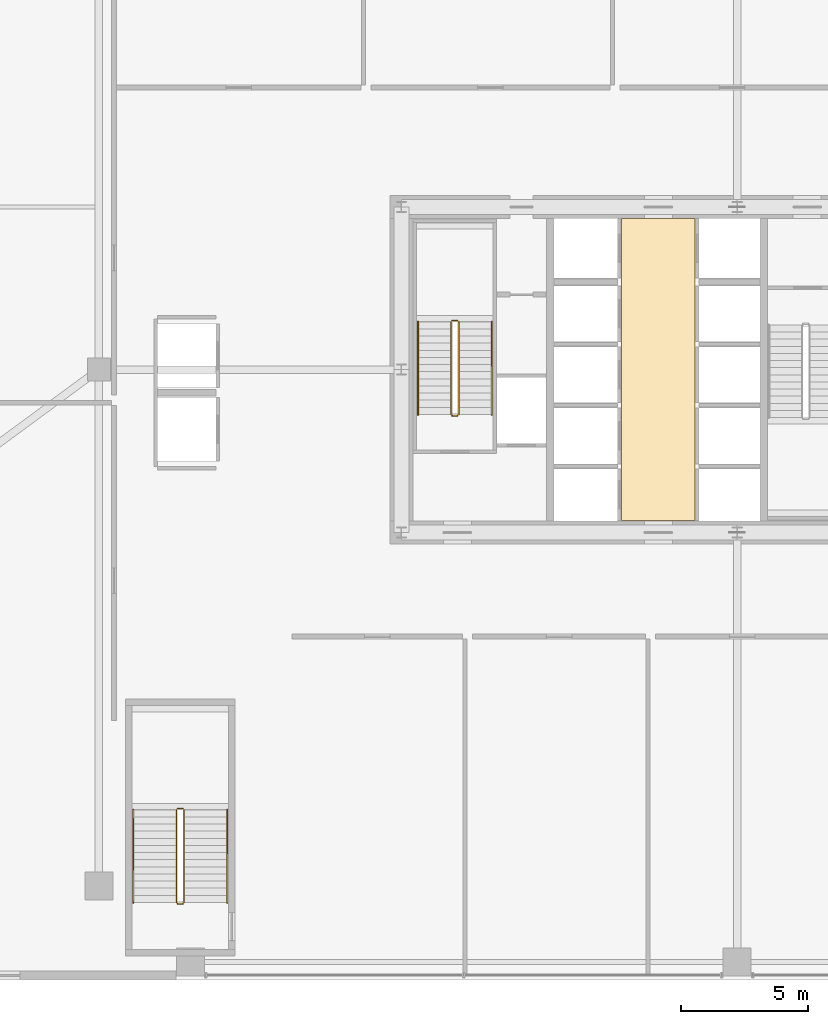
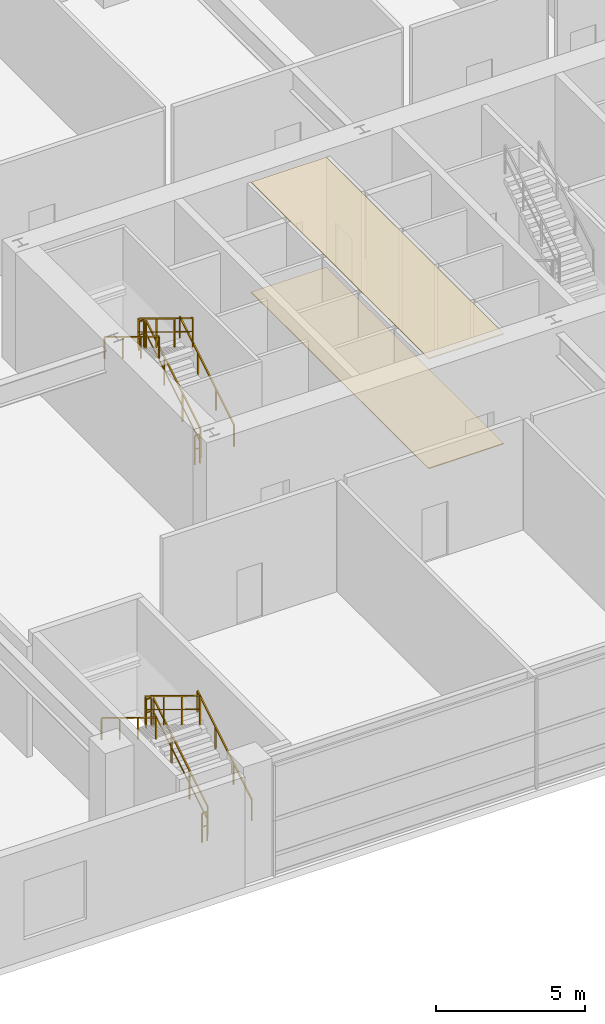
# One storey, part 38 of 39: 12 railings, 2 coverings.
"""IFC4 building model written with IfcOpenShell, lengths in metres."""

import ifcopenshell
import ifcopenshell.guid

model = None  # the IFC model being written
_history = None  # IfcOwnerHistory: only IFC2X3 demands one
_inside = {}  # id of a spatial element -> (the spatial element, [elements in it])
_under = {}  # id of a project, library or spatial element -> (it, [spatial elements below it])
_declared = {}  # id of a project -> (the project, [libraries it declares])
_typed = {}  # id of a type object -> (the type object, [elements of that type])
_made_of = {}  # id of a material, layer set ... -> (it, [elements and type objects made of it])


def new_model(schema):
    """Start an empty IFC model of exactly this schema.

    Asked for "IFC4X3", IfcOpenShell would pick the latest addendum, in which some entities
    have other attributes; the version numbers below select the first issue.
    IFC2X3 requires an IfcOwnerHistory on every rooted entity: one is made here for all.
    """
    global model, _history
    if schema == "IFC4X3":
        model = ifcopenshell.file(schema_version=(4, 3, 0, 0))
    else:
        model = ifcopenshell.file(schema=schema)
    _inside.clear()
    _under.clear()
    _declared.clear()
    _typed.clear()
    _made_of.clear()
    _history = None
    if model.schema == "IFC2X3":
        org = make("IfcOrganization", Name="unknown")
        user = make(
            "IfcPersonAndOrganization",
            ThePerson=make("IfcPerson", FamilyName="unknown"),
            TheOrganization=org,
        )
        app = make(
            "IfcApplication",
            ApplicationDeveloper=org,
            Version="unknown",
            ApplicationFullName="unknown",
            ApplicationIdentifier="unknown",
        )
        _history = make(
            "IfcOwnerHistory",
            OwningUser=user,
            OwningApplication=app,
            ChangeAction="ADDED",
            CreationDate=0,
        )
    return model


def make(cls, **values):
    """One entity of the class cls with the attributes given. An attribute that is None is left unset."""
    return model.create_entity(
        cls, **{name: value for name, value in values.items() if value is not None}
    )


def rooted(cls, **values):
    """An entity with a GlobalId (a new one), such as an element, a storey or a relation."""
    return make(cls, GlobalId=ifcopenshell.guid.new(), OwnerHistory=_history, **values)


def si_unit(unit_type, name, prefix=None):
    """IfcSIUnit, for example si_unit("LENGTHUNIT", "METRE", prefix="MILLI")."""
    return make("IfcSIUnit", UnitType=unit_type, Prefix=prefix, Name=name)


def assignment(units):
    """IfcUnitAssignment: the units of a project."""
    return None if units is None else make("IfcUnitAssignment", Units=units)


def point(xyz):
    """IfcCartesianPoint."""
    return None if xyz is None else make("IfcCartesianPoint", Coordinates=xyz)


def direction(xyz):
    """IfcDirection."""
    return None if xyz is None else make("IfcDirection", DirectionRatios=xyz)


def frame(location, z_axis=None, x_axis=None):
    """IfcAxis2Placement3D, a coordinate frame: its origin and axes. An axis left out is left unset."""
    return make(
        "IfcAxis2Placement3D",
        Location=point(location),
        Axis=direction(z_axis),
        RefDirection=direction(x_axis),
    )


def frame_2d(location, x_axis=None):
    """IfcAxis2Placement2D, a coordinate frame in the plane: its origin and x axis."""
    return make(
        "IfcAxis2Placement2D", Location=point(location), RefDirection=direction(x_axis)
    )


def origin():
    """The frame at (0, 0, 0) with its axes left unset."""
    return frame((0.0, 0.0, 0.0))


def origin_2d():
    """The frame at (0, 0) in the plane with its x axis left unset."""
    return frame_2d((0.0, 0.0))


def place(relative_to, where):
    """IfcLocalPlacement: puts the frame where relative to a parent placement (None: the world)."""
    return make(
        "IfcLocalPlacement", PlacementRelTo=relative_to, RelativePlacement=where
    )


def context(
    kind, dimensions, precision=None, world=None, true_north=None, identifier=None
):
    """IfcGeometricRepresentationContext, for example the 3D "Model" context."""
    return make(
        "IfcGeometricRepresentationContext",
        ContextIdentifier=identifier,
        ContextType=kind,
        CoordinateSpaceDimension=dimensions,
        Precision=precision,
        WorldCoordinateSystem=world,
        TrueNorth=true_north,
    )


def subcontext(parent, identifier, kind, view, scale=None):
    """IfcGeometricRepresentationSubContext, for example "Body" below "Model"."""
    return make(
        "IfcGeometricRepresentationSubContext",
        ContextIdentifier=identifier,
        ContextType=kind,
        ParentContext=parent,
        TargetScale=scale,
        TargetView=view,
    )


def project(units=None, contexts=None):
    """IfcProject with its units and contexts."""
    return rooted(
        "IfcProject",
        Name="project",
        RepresentationContexts=contexts,
        UnitsInContext=assignment(units),
    )


def spatial(cls, under=None, at=None, **own):
    """A site, building, storey or space (cls), placed at a placement, below another one or the project."""
    s = rooted(cls, ObjectPlacement=at, **own)
    if under is not None:
        _under.setdefault(under.id(), (under, []))[1].append(s)
    return s


def polyline(points):
    """IfcPolyline through the points."""
    return make("IfcPolyline", Points=[point(p) for p in points])


def profile(cls, at=None, kind="AREA", **sizes):
    """A parametric profile (cls). Its sizes go by their IFC names, for example OverallWidth=200.0."""
    return make(cls, ProfileType=kind, Position=at, **sizes)


def rectangle(**sizes):
    """IfcRectangleProfileDef."""
    return profile("IfcRectangleProfileDef", **sizes)


def outline(outer, holes=None, kind="AREA"):
    """IfcArbitraryClosedProfileDef: a profile drawn as a closed curve; with holes, ...WithVoids."""
    if holes is None:
        return make("IfcArbitraryClosedProfileDef", ProfileType=kind, OuterCurve=outer)
    return make(
        "IfcArbitraryProfileDefWithVoids",
        ProfileType=kind,
        OuterCurve=outer,
        InnerCurves=holes,
    )


def extrude(swept, where, along, depth):
    """IfcExtrudedAreaSolid: the profile swept, set in the frame where, extruded along a direction by depth."""
    return make(
        "IfcExtrudedAreaSolid",
        SweptArea=swept,
        Position=where,
        ExtrudedDirection=direction(along),
        Depth=depth,
    )


def shape(context_of_items, identifier, shape_type, items):
    """IfcShapeRepresentation: the items that make up one representation, for example the "Body"."""
    return make(
        "IfcShapeRepresentation",
        ContextOfItems=context_of_items,
        RepresentationIdentifier=identifier,
        RepresentationType=shape_type,
        Items=items,
    )


def source(mapping_origin, context_of_items, identifier, shape_type, items):
    """IfcRepresentationMap: a shape defined once, which mapped items show again and again."""
    return make(
        "IfcRepresentationMap",
        MappingOrigin=mapping_origin,
        MappedRepresentation=shape(context_of_items, identifier, shape_type, items),
    )


def transform(
    local_origin,
    x_axis=None,
    y_axis=None,
    z_axis=None,
    scale=None,
    scale2=None,
    scale3=None,
    uniform=True,
):
    """IfcCartesianTransformationOperator3D, or its non-uniform kind. x_axis, y_axis, z_axis: its Axis1, 2, 3."""
    if uniform:
        return make(
            "IfcCartesianTransformationOperator3D",
            Axis1=direction(x_axis),
            Axis2=direction(y_axis),
            LocalOrigin=point(local_origin),
            Scale=scale,
            Axis3=direction(z_axis),
        )
    return make(
        "IfcCartesianTransformationOperator3DnonUniform",
        Axis1=direction(x_axis),
        Axis2=direction(y_axis),
        LocalOrigin=point(local_origin),
        Scale=scale,
        Axis3=direction(z_axis),
        Scale2=scale2,
        Scale3=scale3,
    )


def mapped(mapping_source, mapping_target):
    """IfcMappedItem: shows the shape of a source again, moved by a transform."""
    return make(
        "IfcMappedItem", MappingSource=mapping_source, MappingTarget=mapping_target
    )


def material(Name=None, Category=None):
    """IfcMaterial."""
    return make("IfcMaterial", Name=Name, Category=Category)


def layer(
    of_material, thickness, ventilated=None, Name=None, Category=None, Priority=None
):
    """IfcMaterialLayer: one layer of a wall or slab, of a material (None: an air gap)."""
    return make(
        "IfcMaterialLayer",
        Material=of_material,
        LayerThickness=thickness,
        IsVentilated=ventilated,
        Name=Name,
        Category=Category,
        Priority=Priority,
    )


def layer_set(layers, Name=None):
    """IfcMaterialLayerSet."""
    return make("IfcMaterialLayerSet", MaterialLayers=layers, LayerSetName=Name)


def made_of(thing, what):
    """Note that an element or type object is made of a material, layer set ...; save() writes the relation."""
    if what is not None:
        _made_of.setdefault(what.id(), (what, []))[1].append(thing)
    return thing


def type_object(cls, material=None, **own):
    """A type object (cls), such as IfcWallType, which elements share."""
    return made_of(rooted(cls, **own), material)


def element(
    cls,
    number,
    at=None,
    inside=None,
    cuts=None,
    type_object=None,
    material=None,
    context=None,
    identifier="Body",
    shape_type=None,
    held_by="IfcProductDefinitionShape",
    body=None,
    shapes=None,
    **own,
):
    """One element of the class cls, such as IfcWall. Its Tag is "e" and its number.

    at: its placement. inside: the storey or other place that contains it. cuts: it is an
    opening in that element (IfcRelVoidsElement). A single representation is given by context,
    identifier, shape_type and body (its items); several are given by shapes. held_by: the class
    of the entity that holds the representations. save() writes the other relations.
    """
    e = rooted(cls, Tag="e%d" % number, ObjectPlacement=at, **own)
    if body is not None:
        shapes = [shape(context, identifier, shape_type, body)]
    if shapes is not None:
        e.Representation = make(held_by, Representations=shapes)
    if inside is not None:
        _inside.setdefault(inside.id(), (inside, []))[1].append(e)
    if cuts is not None:
        rooted(
            "IfcRelVoidsElement", RelatingBuildingElement=cuts, RelatedOpeningElement=e
        )
    if type_object is not None:
        _typed.setdefault(type_object.id(), (type_object, []))[1].append(e)
    return made_of(e, material)


def aggregate(whole, parts):
    """IfcRelAggregates: a whole, such as a stair, and the parts it consists of."""
    return rooted("IfcRelAggregates", RelatingObject=whole, RelatedObjects=parts)


def save(model, path):
    """Write the relations noted so far, then the file.

    IfcRelAggregates (storeys below a building ...), IfcRelContainedInSpatialStructure (elements
    in a storey), IfcRelDefinesByType, IfcRelAssociatesMaterial and IfcRelDeclares: one each for
    every whole, place, type object, material and project.
    """
    for whole, parts in _under.values():
        aggregate(whole, parts)
    for where, things in _inside.values():
        rooted(
            "IfcRelContainedInSpatialStructure",
            RelatedElements=things,
            RelatingStructure=where,
        )
    for kind, things in _typed.values():
        rooted("IfcRelDefinesByType", RelatedObjects=things, RelatingType=kind)
    for what, things in _made_of.values():
        rooted("IfcRelAssociatesMaterial", RelatedObjects=things, RelatingMaterial=what)
    for by, libraries in _declared.values():
        rooted("IfcRelDeclares", RelatingContext=by, RelatedDefinitions=libraries)
    model.write(path)


model = new_model("IFC4")

# Units and contexts
model_context = context("Model", 3, precision=1e-05, world=origin(), true_north=direction((0.0, 1.0)))
body_context = subcontext(model_context, "Body", "Model", "MODEL_VIEW")
ifc_project = project(units=[si_unit("LENGTHUNIT", "METRE"), si_unit("AREAUNIT", "SQUARE_METRE"), si_unit("VOLUMEUNIT", "CUBIC_METRE"), si_unit("PLANEANGLEUNIT", "RADIAN"), si_unit("MASSUNIT", "GRAM", prefix="KILO"), si_unit("THERMODYNAMICTEMPERATUREUNIT", "KELVIN"), si_unit("POWERUNIT", "WATT")], contexts=[model_context])

# Site, building, storey
site_placement = place(None, origin())
site = spatial("IfcSite", under=ifc_project, at=site_placement, CompositionType="ELEMENT")
building_placement = place(site_placement, origin())
building = spatial("IfcBuilding", under=site, at=building_placement, Name="Yuzanri Waterfront Tower", CompositionType="ELEMENT")
storey_placement = place(building_placement, frame((0.0, 0.0, 15.0)))
storey = spatial("IfcBuildingStorey", under=building, at=storey_placement, Name="L04", CompositionType="ELEMENT", Elevation=15.0)

# Coverings
ifc_material_1 = material(Name="Anodized Architectural Bronze", Category="metal")
ifc_layer_1 = layer(ifc_material_1, 0.0400390625)
ifc_layer_set_1 = layer_set([ifc_layer_1], Name="Anodized Architectural Bronze")
covering_type_1 = type_object("IfcCoveringType", Name="Anodized Bronze Linear Baffle Lobby Ceiling 40", PredefinedType="CEILING", material=ifc_layer_set_1)
covering_1_placement = place(storey_placement, frame((0.0, 0.0, 4.47998046875)))
element("IfcCovering", 1, at=covering_1_placement, inside=storey, type_object=covering_type_1, Name="L04 Lift Lobby Bronze Baffle Ceiling", PredefinedType="CEILING", context=body_context, shape_type="SweptSolid", body=[
    extrude(outline(polyline([(32.449951171875, 19.860107421875), (35.35009765625, 19.860107421875), (35.35009765625, 31.739990234375), (32.449951171875, 31.739990234375), (32.449951171875, 19.860107421875)])), origin(), (0.0, 0.0, 1.0), 0.0400390625),
])
ifc_material_2 = material(Name="Honed Cream Limestone", Category="masonry")
ifc_layer_2 = layer(ifc_material_2, 0.034912109375)
ifc_layer_set_2 = layer_set([ifc_layer_2], Name="Honed Cream Limestone")
covering_type_2 = type_object("IfcCoveringType", Name="Honed Limestone Lobby Floor Finish 35", PredefinedType="FLOORING", material=ifc_layer_set_2)
covering_2_placement = place(storey_placement, origin())
element("IfcCovering", 2, at=covering_2_placement, inside=storey, type_object=covering_type_2, Name="L04 Lift Lobby Limestone Floor Finish", PredefinedType="FLOORING", context=body_context, shape_type="SweptSolid", body=[
    extrude(outline(polyline([(32.449951171875, 19.860107421875), (35.35009765625, 19.860107421875), (35.35009765625, 31.739990234375), (32.449951171875, 31.739990234375), (32.449951171875, 19.860107421875)])), origin(), (0.0, 0.0, 1.0), 0.034912109375),
])

# Railings
ifc_material_3 = material(Name="Painted Galvanized Fire Steel", Category="steel")
ifc_layer_3 = layer(ifc_material_3, 0.06005859375)
ifc_layer_set_3 = layer_set([ifc_layer_3], Name="Painted Galvanized Fire Steel")
railing_type_1 = type_object("IfcRailingType", Name="Painted Steel Stairwell Guardrail 1120", PredefinedType="GUARDRAIL", material=ifc_layer_set_3)
shared_shape_1 = source(origin(), body_context, "Body", "SweptSolid", [
    extrude(rectangle(XDim=0.050048828125, YDim=0.050048828125, at=origin_2d()), frame((0.0, 0.0, 1.1748046875), z_axis=(-1.0, 0.0, 0.0), x_axis=(0.0, -1.0, 0.0)), (0.0, 0.0, 1.0), 0.199951171875),
    extrude(rectangle(XDim=0.035888671875, YDim=0.030029296875, at=origin_2d()), frame((0.0, 0.0, 0.6240234375), z_axis=(-1.0, 0.0, 0.0), x_axis=(0.0, -1.0, 0.0)), (0.0, 0.0, 1.0), 0.199951171875),
    extrude(rectangle(XDim=0.0458984375, YDim=0.0458984375, at=origin_2d()), origin(), (0.0, 0.0, 1.0), 1.14990234375),
    extrude(rectangle(XDim=0.0458984375, YDim=0.0458984375, at=origin_2d()), frame((-0.199951171875, 0.0, 0.0)), (0.0, 0.0, 1.0), 1.14990234375),
])
for number, where, name in (
    (3, (26.0, 27.72998046875, 2.39990234375), "L04 ST-01 stair guard 2"),
    (4, (26.0, 23.989990234375, 0.0), "L04 ST-01 stair guard 4"),
    (5, (15.199951171875, 8.5400390625, 2.39990234375), "L04 PST-01 stair guard 2"),
    (6, (15.199951171875, 4.800048828125, 0.0), "L04 PST-01 stair guard 4"),
):
    element("IfcRailing", number, at=place(storey_placement, frame(where)), inside=storey, type_object=railing_type_1, Name=name, PredefinedType="GUARDRAIL", context=body_context, shape_type="MappedRepresentation", body=[
        mapped(shared_shape_1, transform((0.0, 0.0, 0.0), scale=1.0)),
    ])
shared_shape_2 = source(origin(), body_context, "Body", "SweptSolid", [
    extrude(rectangle(XDim=0.050048828125, YDim=0.050048828125, at=origin_2d()), frame((0.0, 0.0, 1.1748046875), z_axis=(0.0, 0.852850264322, 0.5221555579), x_axis=(-1.0, 0.0, 0.0)), (0.0, 0.0, 1.0), 4.267822265625),
    extrude(rectangle(XDim=0.035888671875, YDim=0.030029296875, at=origin_2d()), frame((0.0, 0.0, 0.6240234375), z_axis=(0.0, 0.852850264322, 0.5221555579), x_axis=(-1.0, 0.0, 0.0)), (0.0, 0.0, 1.0), 4.267822265625),
    extrude(rectangle(XDim=0.0458984375, YDim=0.0458984375, at=origin_2d()), origin(), (0.0, 0.0, 1.0), 1.14990234375),
    extrude(rectangle(XDim=0.0458984375, YDim=0.0458984375, at=origin_2d()), frame((0.0, 1.21337890625, 0.742919921875)), (0.0, 0.0, 1.0), 1.14990234375),
    extrude(rectangle(XDim=0.0458984375, YDim=0.0458984375, at=origin_2d()), frame((0.0, 2.426513671875, 1.485595703125)), (0.0, 0.0, 1.0), 1.14990234375),
    extrude(rectangle(XDim=0.0458984375, YDim=0.0458984375, at=origin_2d()), frame((0.0, 3.639892578125, 2.228515625)), (0.0, 0.0, 1.0), 1.14990234375),
])
for number, where, name in (
    (7, (26.050048828125, 24.0400390625, 0.17138671875), "L04 ST-01 stair guard 1"),
    (8, (15.25, 4.85009765625, 0.17138671875), "L04 PST-01 stair guard 1"),
):
    element("IfcRailing", number, at=place(storey_placement, frame(where)), inside=storey, type_object=railing_type_1, Name=name, PredefinedType="GUARDRAIL", context=body_context, shape_type="MappedRepresentation", body=[
        mapped(shared_shape_2, transform((0.0, 0.0, 0.0), scale=1.0)),
    ])
shared_shape_3 = source(origin(), body_context, "Body", "SweptSolid", [
    extrude(rectangle(XDim=0.050048828125, YDim=0.050048828125, at=origin_2d()), frame((0.0, 0.0, 1.1748046875), z_axis=(0.0, -0.852850264322, 0.5221555579), x_axis=(1.0, 0.0, 0.0)), (0.0, 0.0, 1.0), 4.267822265625),
    extrude(rectangle(XDim=0.035888671875, YDim=0.030029296875, at=origin_2d()), frame((0.0, 0.0, 0.6240234375), z_axis=(0.0, -0.852850264322, 0.5221555579), x_axis=(1.0, 0.0, 0.0)), (0.0, 0.0, 1.0), 4.267822265625),
    extrude(rectangle(XDim=0.0458984375, YDim=0.0458984375, at=origin_2d()), origin(), (0.0, 0.0, 1.0), 1.14990234375),
    extrude(rectangle(XDim=0.0458984375, YDim=0.0458984375, at=origin_2d()), frame((0.0, -1.21337890625, 0.742919921875)), (0.0, 0.0, 1.0), 1.14990234375),
    extrude(rectangle(XDim=0.0458984375, YDim=0.0458984375, at=origin_2d()), frame((0.0, -2.426513671875, 1.485595703125)), (0.0, 0.0, 1.0), 1.14990234375),
    extrude(rectangle(XDim=0.0458984375, YDim=0.0458984375, at=origin_2d()), frame((0.0, -3.639892578125, 2.228515625)), (0.0, 0.0, 1.0), 1.14990234375),
])
for number, where, name in (
    (9, (25.75, 27.679931640625, 2.571533203125), "L04 ST-01 stair guard 3"),
    (10, (14.949951171875, 8.489990234375, 2.571533203125), "L04 PST-01 stair guard 3"),
):
    element("IfcRailing", number, at=place(storey_placement, frame(where)), inside=storey, type_object=railing_type_1, Name=name, PredefinedType="GUARDRAIL", context=body_context, shape_type="MappedRepresentation", body=[
        mapped(shared_shape_3, transform((0.0, 0.0, 0.0), scale=1.0)),
    ])
ifc_material_4 = material(Name="Anodized Architectural Bronze", Category="metal")
ifc_layer_4 = layer(ifc_material_4, 0.050048828125)
ifc_layer_set_4 = layer_set([ifc_layer_4], Name="Anodized Architectural Bronze")
railing_type_2 = type_object("IfcRailingType", Name="Brushed Bronze Stair Pitch Handrail 920", PredefinedType="HANDRAIL", material=ifc_layer_set_4)
shared_shape_4 = source(origin(), body_context, "Body", "SweptSolid", [
    extrude(rectangle(XDim=0.050048828125, YDim=0.050048828125, at=origin_2d()), frame((0.0, 0.0, 0.875), z_axis=(0.0, 0.852850264322, 0.5221555579), x_axis=(-1.0, 0.0, 0.0)), (0.0, 0.0, 1.0), 4.267822265625),
    extrude(rectangle(XDim=0.0458984375, YDim=0.0458984375, at=origin_2d()), origin(), (0.0, 0.0, 1.0), 0.849853515625),
    extrude(rectangle(XDim=0.0458984375, YDim=0.0458984375, at=origin_2d()), frame((0.0, 1.21337890625, 0.742919921875)), (0.0, 0.0, 1.0), 0.849853515625),
    extrude(rectangle(XDim=0.0458984375, YDim=0.0458984375, at=origin_2d()), frame((0.0, 2.426513671875, 1.485595703125)), (0.0, 0.0, 1.0), 0.849853515625),
    extrude(rectangle(XDim=0.0458984375, YDim=0.0458984375, at=origin_2d()), frame((0.0, 3.639892578125, 2.228515625)), (0.0, 0.0, 1.0), 0.849853515625),
])
for number, where, name in (
    (11, (27.35009765625, 24.0400390625, 0.17138671875), "L04 ST-01 stair handrail 1"),
    (12, (16.949951171875, 4.85009765625, 0.17138671875), "L04 PST-01 stair handrail 1"),
):
    element("IfcRailing", number, at=place(storey_placement, frame(where)), inside=storey, type_object=railing_type_2, Name=name, PredefinedType="HANDRAIL", context=body_context, shape_type="MappedRepresentation", body=[
        mapped(shared_shape_4, transform((0.0, 0.0, 0.0), scale=1.0)),
    ])
shared_shape_5 = source(origin(), body_context, "Body", "SweptSolid", [
    extrude(rectangle(XDim=0.050048828125, YDim=0.050048828125, at=origin_2d()), frame((0.0, 0.0, 0.875), z_axis=(0.0, -0.852850264322, 0.5221555579), x_axis=(1.0, 0.0, 0.0)), (0.0, 0.0, 1.0), 4.267822265625),
    extrude(rectangle(XDim=0.0458984375, YDim=0.0458984375, at=origin_2d()), origin(), (0.0, 0.0, 1.0), 0.849853515625),
    extrude(rectangle(XDim=0.0458984375, YDim=0.0458984375, at=origin_2d()), frame((0.0, -1.21337890625, 0.742919921875)), (0.0, 0.0, 1.0), 0.849853515625),
    extrude(rectangle(XDim=0.0458984375, YDim=0.0458984375, at=origin_2d()), frame((0.0, -2.426513671875, 1.485595703125)), (0.0, 0.0, 1.0), 0.849853515625),
    extrude(rectangle(XDim=0.0458984375, YDim=0.0458984375, at=origin_2d()), frame((0.0, -3.639892578125, 2.228515625)), (0.0, 0.0, 1.0), 0.849853515625),
])
for number, where, name in (
    (13, (24.449951171875, 27.679931640625, 2.571533203125), "L04 ST-01 stair handrail 2"),
    (14, (13.25, 8.489990234375, 2.571533203125), "L04 PST-01 stair handrail 2"),
):
    element("IfcRailing", number, at=place(storey_placement, frame(where)), inside=storey, type_object=railing_type_2, Name=name, PredefinedType="HANDRAIL", context=body_context, shape_type="MappedRepresentation", body=[
        mapped(shared_shape_5, transform((0.0, 0.0, 0.0), scale=1.0)),
    ])

save(model, "model.ifc")
